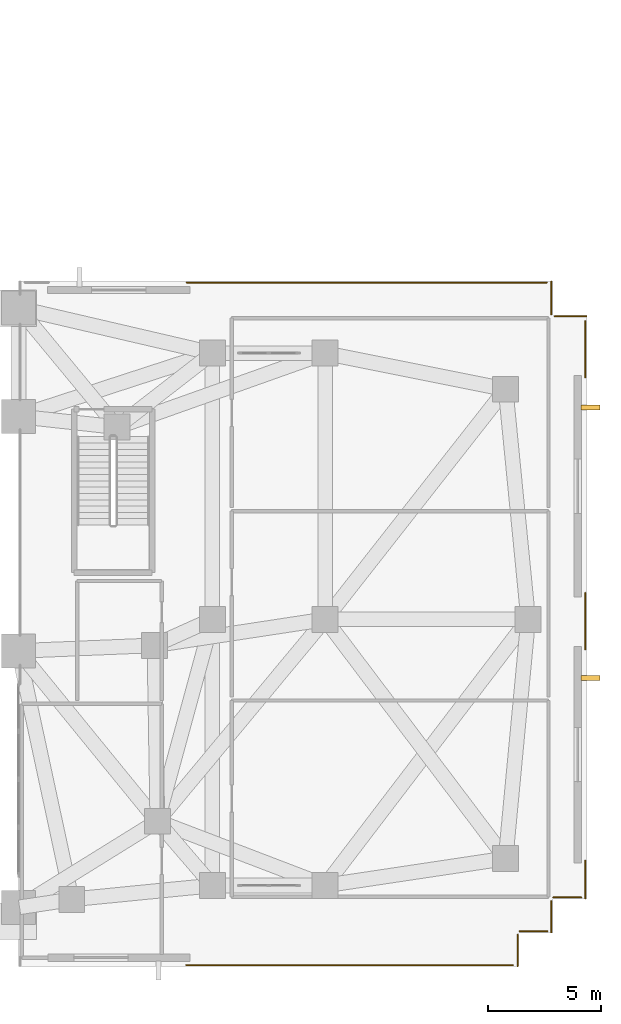
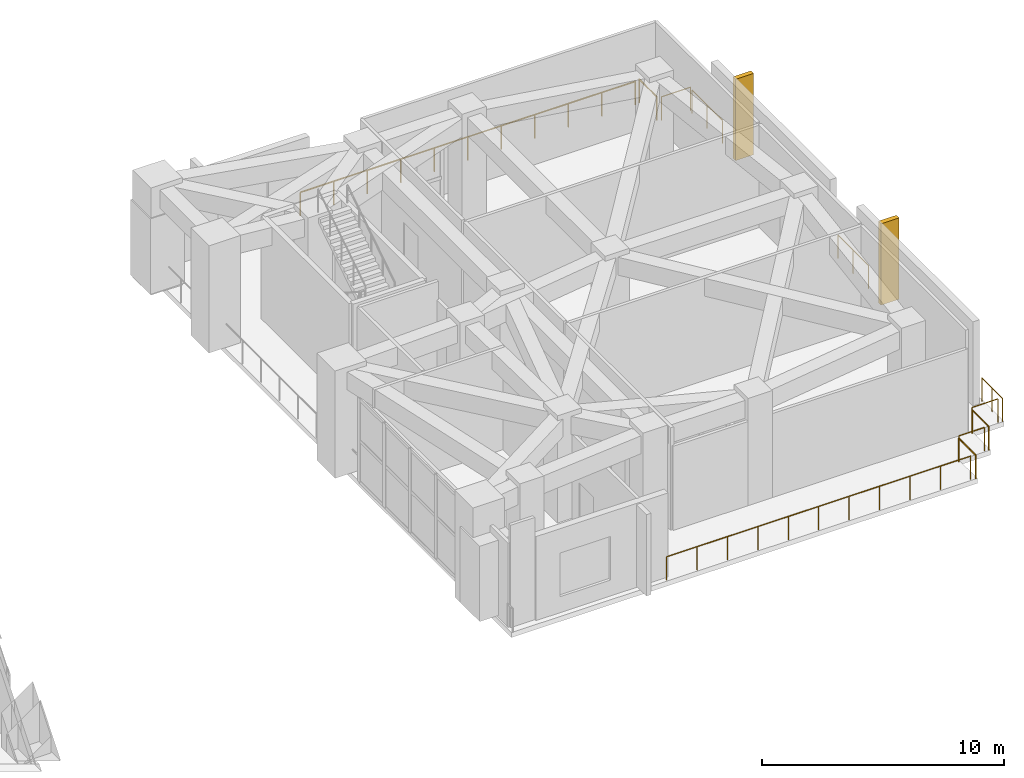
# One storey, part 18 of 18: 11 railings, 2 shading devices.
"""IFC4 building model written with IfcOpenShell, lengths in metres."""

from ifc_helpers import new_model, si_unit, direction, frame, origin, origin_2d, place, context, subcontext, project, spatial, rectangle, circle, extrude, material, layer, layer_set, type_object, element, save


model = new_model("IFC4")

# Units and contexts
model_context = context("Model", 3, precision=1e-05, world=origin(), true_north=direction((0.0, 1.0)))
body_context = subcontext(model_context, "Body", "Model", "MODEL_VIEW")
ifc_project = project(units=[si_unit("LENGTHUNIT", "METRE"), si_unit("AREAUNIT", "SQUARE_METRE"), si_unit("VOLUMEUNIT", "CUBIC_METRE"), si_unit("PLANEANGLEUNIT", "RADIAN"), si_unit("MASSUNIT", "GRAM", prefix="KILO")], contexts=[model_context])

# Site, building, storey
site_placement = place(None, origin())
site = spatial("IfcSite", under=ifc_project, at=site_placement, CompositionType="ELEMENT")
building_placement = place(site_placement, origin())
building = spatial("IfcBuilding", under=site, at=building_placement, Name="Gaonmaruhae Medical Tower", CompositionType="ELEMENT")
storey_placement = place(building_placement, frame((0.0, 0.0, 10.800048828125)))
storey = spatial("IfcBuildingStorey", under=building, at=storey_placement, Name="L02", CompositionType="ELEMENT", Elevation=10.800048828125)

# Railings
ifc_material_1 = material(Name="Stainless steel 316L and laminated safety glass", Category="steel")
ifc_layer = layer(ifc_material_1, 0.080078125)
ifc_layer_set = layer_set([ifc_layer], Name="Stainless steel 316L and laminated safety glass")
railing_type = type_object("IfcRailingType", Name="GD-120 Outdoor Terrace Safety Glass & Steel Balustrade", PredefinedType="BALUSTRADE", material=ifc_layer_set)
railing_1_placement = place(storey_placement, frame((81.22998046875, 30.3798828125, 0.0)))
element("IfcRailing", 1, at=railing_1_placement, inside=storey, type_object=railing_type, Name="L02 Perimeter Slab Edge Safety Balustrade 22", PredefinedType="BALUSTRADE", context=body_context, shape_type="SweptSolid", body=[
    extrude(circle(Radius=0.02392578125, at=origin_2d()), frame((0.0, 0.0, 1.17578125), z_axis=(0.0, -1.0, 0.0), x_axis=(1.0, 0.0, 0.0)), (0.0, 0.0, 1.0), 1.4599609375),
    extrude(circle(Radius=0.02099609375, at=origin_2d()), origin(), (0.0, 0.0, 1.0), 1.15185546875),
    extrude(circle(Radius=0.02099609375, at=origin_2d()), frame((0.0, -1.4599609375, 0.0)), (0.0, 0.0, 1.0), 1.15185546875),
])
railing_2_placement = place(storey_placement, frame((81.38671875, 28.830078125, 0.0)))
element("IfcRailing", 2, at=railing_2_placement, inside=storey, type_object=railing_type, Name="L02 Perimeter Slab Edge Safety Balustrade 23", PredefinedType="BALUSTRADE", context=body_context, shape_type="SweptSolid", body=[
    extrude(circle(Radius=0.02392578125, at=origin_2d()), frame((0.0, 0.0, 1.17578125), z_axis=(1.0, 0.0, 0.0), x_axis=(0.0, 1.0, 0.0)), (0.0, 0.0, 1.0), 1.393310546875),
    extrude(circle(Radius=0.02099609375, at=origin_2d()), origin(), (0.0, 0.0, 1.0), 1.15185546875),
    extrude(circle(Radius=0.02099609375, at=origin_2d()), frame((1.393310546875, 0.0, 0.0)), (0.0, 0.0, 1.0), 1.15185546875),
])
for number, where, name in (
    (3, (82.72998046875, 28.620361328125, 0.0), "L02 Perimeter Slab Edge Safety Balustrade 24"),
    (4, (82.72998046875, 16.569580078125, 0.0), "L02 Perimeter Slab Edge Safety Balustrade 25"),
):
    element("IfcRailing", number, at=place(storey_placement, frame(where)), inside=storey, type_object=railing_type, Name=name, PredefinedType="BALUSTRADE", context=body_context, shape_type="SweptSolid", body=[
        extrude(circle(Radius=0.02392578125, at=origin_2d()), frame((0.0, 0.0, 1.17578125), z_axis=(0.0, -1.0, 0.0), x_axis=(1.0, 0.0, 0.0)), (0.0, 0.0, 1.0), 2.498291015625),
        extrude(circle(Radius=0.02099609375, at=origin_2d()), origin(), (0.0, 0.0, 1.0), 1.15185546875),
        extrude(circle(Radius=0.02099609375, at=origin_2d()), frame((0.0, -1.2490234375, 0.0)), (0.0, 0.0, 1.0), 1.15185546875),
        extrude(circle(Radius=0.02099609375, at=origin_2d()), frame((0.0, -2.498291015625, 0.0)), (0.0, 0.0, 1.0), 1.15185546875),
    ])
railing_3_placement = place(storey_placement, frame((82.72998046875, 4.69873046875, 0.0)))
element("IfcRailing", 5, at=railing_3_placement, inside=storey, type_object=railing_type, Name="L02 Perimeter Slab Edge Safety Balustrade 26", PredefinedType="BALUSTRADE", context=body_context, shape_type="SweptSolid", body=[
    extrude(circle(Radius=0.02392578125, at=origin_2d()), frame((0.0, 0.0, 1.17578125), z_axis=(0.0, -1.0, 0.0), x_axis=(1.0, 0.0, 0.0)), (0.0, 0.0, 1.0), 1.6787109375),
    extrude(circle(Radius=0.02099609375, at=origin_2d()), origin(), (0.0, 0.0, 1.0), 1.15185546875),
    extrude(circle(Radius=0.02099609375, at=origin_2d()), frame((0.0, -0.83935546875, 0.0)), (0.0, 0.0, 1.0), 1.15185546875),
    extrude(circle(Radius=0.02099609375, at=origin_2d()), frame((0.0, -1.6787109375, 0.0)), (0.0, 0.0, 1.0), 1.15185546875),
])
railing_4_placement = place(storey_placement, frame((82.546630859375, 3.070068359375, 0.0)))
element("IfcRailing", 6, at=railing_4_placement, inside=storey, type_object=railing_type, Name="L02 Perimeter Slab Edge Safety Balustrade 27", PredefinedType="BALUSTRADE", context=body_context, shape_type="SweptSolid", body=[
    extrude(circle(Radius=0.02392578125, at=origin_2d()), frame((0.0, 0.0, 1.17578125), z_axis=(-1.0, 0.0, 0.0), x_axis=(0.0, -1.0, 0.0)), (0.0, 0.0, 1.0), 1.2265625),
    extrude(circle(Radius=0.02099609375, at=origin_2d()), origin(), (0.0, 0.0, 1.0), 1.15185546875),
    extrude(circle(Radius=0.02099609375, at=origin_2d()), frame((-1.2265625, 0.0, 0.0)), (0.0, 0.0, 1.0), 1.15185546875),
])
railing_5_placement = place(storey_placement, frame((81.22998046875, 2.913330078125, 0.0)))
element("IfcRailing", 7, at=railing_5_placement, inside=storey, type_object=railing_type, Name="L02 Perimeter Slab Edge Safety Balustrade 28", PredefinedType="BALUSTRADE", context=body_context, shape_type="SweptSolid", body=[
    extrude(circle(Radius=0.02392578125, at=origin_2d()), frame((0.0, 0.0, 1.17578125), z_axis=(0.0, -1.0, 0.0), x_axis=(1.0, 0.0, 0.0)), (0.0, 0.0, 1.0), 1.393310546875),
    extrude(circle(Radius=0.02099609375, at=origin_2d()), origin(), (0.0, 0.0, 1.0), 1.15185546875),
    extrude(circle(Radius=0.02099609375, at=origin_2d()), frame((0.0, -1.393310546875, 0.0)), (0.0, 0.0, 1.0), 1.15185546875),
])
railing_6_placement = place(storey_placement, frame((81.046630859375, 1.570068359375, 0.0)))
element("IfcRailing", 8, at=railing_6_placement, inside=storey, type_object=railing_type, Name="L02 Perimeter Slab Edge Safety Balustrade 29", PredefinedType="BALUSTRADE", context=body_context, shape_type="SweptSolid", body=[
    extrude(circle(Radius=0.02392578125, at=origin_2d()), frame((0.0, 0.0, 1.17578125), z_axis=(-1.0, 0.0, 0.0), x_axis=(0.0, -1.0, 0.0)), (0.0, 0.0, 1.0), 1.2265625),
    extrude(circle(Radius=0.02099609375, at=origin_2d()), origin(), (0.0, 0.0, 1.0), 1.15185546875),
    extrude(circle(Radius=0.02099609375, at=origin_2d()), frame((-1.2265625, 0.0, 0.0)), (0.0, 0.0, 1.0), 1.15185546875),
])
railing_7_placement = place(storey_placement, frame((79.72998046875, 1.413330078125, 0.0)))
element("IfcRailing", 9, at=railing_7_placement, inside=storey, type_object=railing_type, Name="L02 Perimeter Slab Edge Safety Balustrade 30", PredefinedType="BALUSTRADE", context=body_context, shape_type="SweptSolid", body=[
    extrude(circle(Radius=0.02392578125, at=origin_2d()), frame((0.0, 0.0, 1.17578125), z_axis=(0.0, -1.0, 0.0), x_axis=(1.0, 0.0, 0.0)), (0.0, 0.0, 1.0), 1.393310546875),
    extrude(circle(Radius=0.02099609375, at=origin_2d()), origin(), (0.0, 0.0, 1.0), 1.15185546875),
    extrude(circle(Radius=0.02099609375, at=origin_2d()), frame((0.0, -1.393310546875, 0.0)), (0.0, 0.0, 1.0), 1.15185546875),
])
railing_8_placement = place(storey_placement, frame((79.52197265625, 0.070068359375, 0.0)))
element("IfcRailing", 10, at=railing_8_placement, inside=storey, type_object=railing_type, Name="L02 Perimeter Slab Edge Safety Balustrade 31", PredefinedType="BALUSTRADE", context=body_context, shape_type="SweptSolid", body=[
    extrude(circle(Radius=0.02392578125, at=origin_2d()), frame((0.0, 0.0, 1.17578125), z_axis=(-1.0, 0.0, 0.0), x_axis=(0.0, -1.0, 0.0)), (0.0, 0.0, 1.0), 14.482666015625),
    extrude(circle(Radius=0.02099609375, at=origin_2d()), origin(), (0.0, 0.0, 1.0), 1.15185546875),
    extrude(circle(Radius=0.02099609375, at=origin_2d()), frame((-1.4482421875, 0.0, 0.0)), (0.0, 0.0, 1.0), 1.15185546875),
    extrude(circle(Radius=0.02099609375, at=origin_2d()), frame((-2.896484375, 0.0, 0.0)), (0.0, 0.0, 1.0), 1.15185546875),
    extrude(circle(Radius=0.02099609375, at=origin_2d()), frame((-4.3447265625, 0.0, 0.0)), (0.0, 0.0, 1.0), 1.15185546875),
    extrude(circle(Radius=0.02099609375, at=origin_2d()), frame((-5.79296875, 0.0, 0.0)), (0.0, 0.0, 1.0), 1.15185546875),
    extrude(circle(Radius=0.02099609375, at=origin_2d()), frame((-7.2412109375, 0.0, 0.0)), (0.0, 0.0, 1.0), 1.15185546875),
    extrude(circle(Radius=0.02099609375, at=origin_2d()), frame((-8.689697265625, 0.0, 0.0)), (0.0, 0.0, 1.0), 1.15185546875),
    extrude(circle(Radius=0.02099609375, at=origin_2d()), frame((-10.137939453125, 0.0, 0.0)), (0.0, 0.0, 1.0), 1.15185546875),
    extrude(circle(Radius=0.02099609375, at=origin_2d()), frame((-11.586181640625, 0.0, 0.0)), (0.0, 0.0, 1.0), 1.15185546875),
    extrude(circle(Radius=0.02099609375, at=origin_2d()), frame((-13.034423828125, 0.0, 0.0)), (0.0, 0.0, 1.0), 1.15185546875),
    extrude(circle(Radius=0.02099609375, at=origin_2d()), frame((-14.482666015625, 0.0, 0.0)), (0.0, 0.0, 1.0), 1.15185546875),
])
railing_9_placement = place(storey_placement, frame((65.060791015625, 30.330078125, 0.0)))
element("IfcRailing", 11, at=railing_9_placement, inside=storey, type_object=railing_type, Name="L02 Perimeter Slab Edge Safety Balustrade 38", PredefinedType="BALUSTRADE", context=body_context, shape_type="SweptSolid", body=[
    extrude(circle(Radius=0.02392578125, at=origin_2d()), frame((0.0, 0.0, 1.17578125), z_axis=(1.0, 0.0, 0.0), x_axis=(0.0, 1.0, 0.0)), (0.0, 0.0, 1.0), 15.960205078125),
    extrude(circle(Radius=0.02099609375, at=origin_2d()), origin(), (0.0, 0.0, 1.0), 1.15185546875),
    extrude(circle(Radius=0.02099609375, at=origin_2d()), frame((1.595947265625, 0.0, 0.0)), (0.0, 0.0, 1.0), 1.15185546875),
    extrude(circle(Radius=0.02099609375, at=origin_2d()), frame((3.192138671875, 0.0, 0.0)), (0.0, 0.0, 1.0), 1.15185546875),
    extrude(circle(Radius=0.02099609375, at=origin_2d()), frame((4.7880859375, 0.0, 0.0)), (0.0, 0.0, 1.0), 1.15185546875),
    extrude(circle(Radius=0.02099609375, at=origin_2d()), frame((6.384033203125, 0.0, 0.0)), (0.0, 0.0, 1.0), 1.15185546875),
    extrude(circle(Radius=0.02099609375, at=origin_2d()), frame((7.97998046875, 0.0, 0.0)), (0.0, 0.0, 1.0), 1.15185546875),
    extrude(circle(Radius=0.02099609375, at=origin_2d()), frame((9.576171875, 0.0, 0.0)), (0.0, 0.0, 1.0), 1.15185546875),
    extrude(circle(Radius=0.02099609375, at=origin_2d()), frame((11.172119140625, 0.0, 0.0)), (0.0, 0.0, 1.0), 1.15185546875),
    extrude(circle(Radius=0.02099609375, at=origin_2d()), frame((12.76806640625, 0.0, 0.0)), (0.0, 0.0, 1.0), 1.15185546875),
    extrude(circle(Radius=0.02099609375, at=origin_2d()), frame((14.3642578125, 0.0, 0.0)), (0.0, 0.0, 1.0), 1.15185546875),
    extrude(circle(Radius=0.02099609375, at=origin_2d()), frame((15.960205078125, 0.0, 0.0)), (0.0, 0.0, 1.0), 1.15185546875),
])

# Shading devices
ifc_material_2 = material(Name="Pigmented coral precast concrete C45/55", Category="concrete")
shading_device_type = type_object("IfcShadingDeviceType", Name="SD-FIN2 Podium Vertical Coral Precast Shading Fin", PredefinedType="USERDEFINED", material=ifc_material_2)
for number, where, z_axis, x_axis, name in (
    (12, (82.965087890625, 12.800048828125, 0.06494140625), (0.0, 0.0, 1.0), (0.0, -1.0, 0.0), "L02 Podium Coral Precast Shading Fin PB-E1"),
    (13, (82.965087890625, 24.800048828125, 0.06494140625), (0.0, 0.0, 1.0), (0.0, -1.0, 0.0), "L02 Podium Coral Precast Shading Fin PB-E2"),
):
    element("IfcShadingDevice", number, at=place(storey_placement, frame(where, z_axis=z_axis, x_axis=x_axis)), inside=storey, type_object=shading_device_type, Name=name, ObjectType="FIN", PredefinedType="USERDEFINED", context=body_context, shape_type="SweptSolid", body=[
        extrude(rectangle(XDim=0.219970703125, YDim=0.85009765625, at=origin_2d()), origin(), (0.0, 0.0, 1.0), 4.10009765625),
    ])

save(model, "model.ifc")
